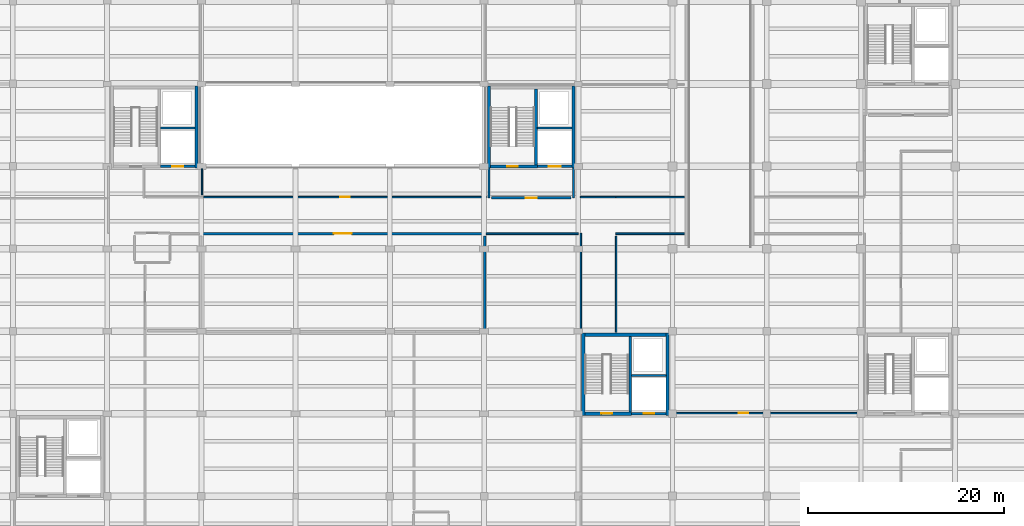
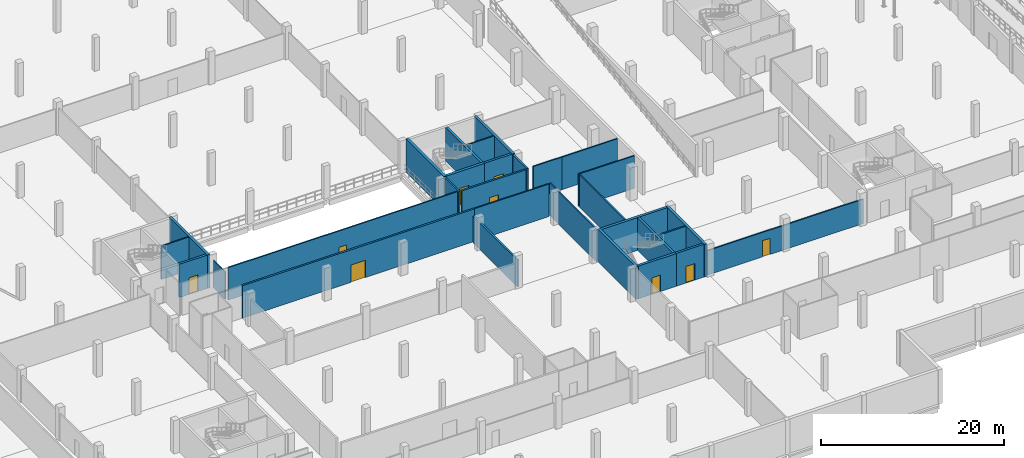
# One storey, part 20 of 30: 30 walls, 9 doors, 9 openings.
"""IFC4 building model written with IfcOpenShell, lengths in metres."""

from ifc_helpers import new_model, si_unit, direction, frame, frame_2d, origin, place, context, subcontext, project, spatial, rectangle, extrude, material, layer, layer_set, type_object, element, fill, save


model = new_model("IFC4")

# Units and contexts
model_context = context("Model", 3, precision=1e-05, world=origin(), true_north=direction((0.0, 1.0)))
body_context = subcontext(model_context, "Body", "Model", "MODEL_VIEW")
ifc_project = project(units=[si_unit("LENGTHUNIT", "METRE"), si_unit("AREAUNIT", "SQUARE_METRE"), si_unit("VOLUMEUNIT", "CUBIC_METRE"), si_unit("PLANEANGLEUNIT", "RADIAN"), si_unit("MASSUNIT", "GRAM", prefix="KILO")], contexts=[model_context])

# Site, building, storey
site_placement = place(None, origin())
site = spatial("IfcSite", under=ifc_project, at=site_placement, CompositionType="ELEMENT")
building_placement = place(site_placement, origin())
building = spatial("IfcBuilding", under=site, at=building_placement, Name="Lornevale Opera House", CompositionType="ELEMENT")
storey_placement = place(building_placement, frame((0.0, 0.0, -4.800048828125)))
storey = spatial("IfcBuildingStorey", under=building, at=storey_placement, Name="B1", CompositionType="ELEMENT", Elevation=-4.800048828125)

# Wall, opening, door
ifc_material_1 = material(Name="Concrete 40 MPa (CSA A23.1 C-1)", Category="concrete")
ifc_layer_1 = layer(ifc_material_1, 0.320068359375)
ifc_layer_set_1 = layer_set([ifc_layer_1], Name="Concrete 40 MPa (CSA A23.1 C-1)")
wall_type_1 = type_object("IfcWallType", Name="Core Shear Wall 320", PredefinedType="SHEAR", material=ifc_layer_set_1)
wall_1_placement = place(storey_placement, frame((106.260009765625, 33.60009765625, 0.0), z_axis=(0.0, 0.0, 1.0), x_axis=(1.0, 0.0, 0.0)))
wall_1 = element("IfcWall", 1, at=wall_1_placement, inside=storey, type_object=wall_type_1, Name="South-East Foyer Core Core Shear Wall 320 WL-COR-0043", PredefinedType="SHEAR", context=body_context, shape_type="SweptSolid", body=[
    extrude(rectangle(XDim=4.780029296875, YDim=0.320068359375, at=frame_2d((2.39013671875, 0.0))), origin(), (0.0, 0.0, 1.0), 4.360107421875),
])
opening_1_placement = place(wall_1_placement, frame((1.68994140625, 0.0, 0.0)))
opening_1 = element("IfcOpeningElement", 2, at=opening_1_placement, cuts=wall_1, Name="Opening DR-T11", PredefinedType="OPENING", context=body_context, shape_type="SweptSolid", body=[
    extrude(rectangle(XDim=1.10009765625, YDim=2.199951171875, at=frame_2d((0.550048828125, 1.10009765625))), frame((0.0, 0.169921875, 0.0), z_axis=(0.0, -1.0, 0.0), x_axis=(1.0, 0.0, 0.0)), (0.0, 0.0, 1.0), 0.340087890625),
])
ifc_material_2 = material(Name="Painted Hollow Metal Door Steel", Category="steel")
ifc_layer_2 = layer(ifc_material_2, 2.199951171875)
ifc_layer_set_2 = layer_set([ifc_layer_2], Name="Painted Hollow Metal Door Steel")
door_type_1 = type_object("IfcDoorType", Name="Protected Exit Stair Door R 1100x2200", OperationType="NOTDEFINED", PredefinedType="DOOR", material=ifc_layer_set_2)
door_1_placement = place(opening_1_placement, origin())
door_1 = element("IfcDoor", 3, at=door_1_placement, inside=storey, type_object=door_type_1, Name="C2 Stair Door B1", OperationType="SINGLE_SWING_RIGHT", OverallHeight=2.199951171875, OverallWidth=1.10009765625, PredefinedType="DOOR", context=body_context, shape_type="SweptSolid", body=[
    extrude(rectangle(XDim=1.10009765625, YDim=2.199951171875, at=frame_2d((0.550048828125, 1.10009765625))), frame((0.0, 0.02490234375, 0.0), z_axis=(0.0, -1.0, 0.0), x_axis=(1.0, 0.0, 0.0)), (0.0, 0.0, 1.0), 0.050048828125),
])
fill(opening_1, door_1)

# Walls
wall_2_placement = place(storey_placement, frame((114.5400390625, 41.639892578125, 0.0), z_axis=(0.0, 0.0, 1.0), x_axis=(-1.0, 0.0, 0.0)))
element("IfcWall", 4, at=wall_2_placement, inside=storey, type_object=wall_type_1, Name="South-East Foyer Core Core Shear Wall 320 WL-COR-0045", PredefinedType="SHEAR", context=body_context, shape_type="SweptSolid", body=[
    extrude(rectangle(XDim=8.280029296875, YDim=0.320068359375, at=frame_2d((4.14013671875, 0.0))), origin(), (0.0, 0.0, 1.0), 4.360107421875),
])
for number, where, z_axis, x_axis, name in (
    (5, (106.10009765625, 41.800048828125, 0.0), (0.0, 0.0, 1.0), (0.0, -1.0, 0.0), "South-East Foyer Core Core Shear Wall 320 WL-COR-0046"),
    (6, (114.699951171875, 33.43994140625, 0.0), (0.0, 0.0, 1.0), (0.0, 1.0, 0.0), "South-East Foyer Core Core Shear Wall 320 WL-COR-0047"),
):
    element("IfcWall", number, at=place(storey_placement, frame(where, z_axis=z_axis, x_axis=x_axis)), inside=storey, type_object=wall_type_1, Name=name, PredefinedType="SHEAR", context=body_context, shape_type="SweptSolid", body=[
        extrude(rectangle(XDim=8.360107421875, YDim=0.320068359375, at=frame_2d((4.18017578125, 0.0))), origin(), (0.0, 0.0, 1.0), 4.360107421875),
    ])
wall_3_placement = place(storey_placement, frame((66.699951171875, 58.639892578125, 0.0), z_axis=(0.0, 0.0, 1.0), x_axis=(0.0, 1.0, 0.0)))
element("IfcWall", 7, at=wall_3_placement, inside=storey, type_object=wall_type_1, Name="Auditorium West Tier Core Core Shear Wall 320 WL-COR-0159", PredefinedType="SHEAR", context=body_context, shape_type="SweptSolid", body=[
    extrude(rectangle(XDim=8.360107421875, YDim=0.320068359375, at=frame_2d((4.18017578125, 0.0))), origin(), (0.0, 0.0, 1.0), 4.43994140625),
])

# Wall, opening, door
wall_4_placement = place(storey_placement, frame((96.659912109375, 58.800048828125, 0.0), z_axis=(0.0, 0.0, 1.0), x_axis=(1.0, 0.0, 0.0)))
wall_4 = element("IfcWall", 8, at=wall_4_placement, inside=storey, type_object=wall_type_1, Name="Stagehouse Firefighter Core West Core Shear Wall 320 WL-COR-0204", PredefinedType="SHEAR", context=body_context, shape_type="SweptSolid", body=[
    extrude(rectangle(XDim=4.780029296875, YDim=0.320068359375, at=frame_2d((2.39013671875, 0.0))), origin(), (0.0, 0.0, 1.0), 4.43994140625),
])
opening_2_placement = place(wall_4_placement, frame((1.68994140625, 0.0, 0.0)))
opening_2 = element("IfcOpeningElement", 9, at=opening_2_placement, cuts=wall_4, Name="Opening DR-T11", PredefinedType="OPENING", context=body_context, shape_type="SweptSolid", body=[
    extrude(rectangle(XDim=1.10009765625, YDim=2.199951171875, at=frame_2d((0.550048828125, 1.10009765625))), frame((0.0, 0.169921875, 0.0), z_axis=(0.0, -1.0, 0.0), x_axis=(1.0, 0.0, 0.0)), (0.0, 0.0, 1.0), 0.340087890625),
])
door_2_placement = place(opening_2_placement, origin())
door_2 = element("IfcDoor", 10, at=door_2_placement, inside=storey, type_object=door_type_1, Name="C6 Stair Door B1", OperationType="SINGLE_SWING_RIGHT", OverallHeight=2.199951171875, OverallWidth=1.10009765625, PredefinedType="DOOR", context=body_context, shape_type="SweptSolid", body=[
    extrude(rectangle(XDim=1.10009765625, YDim=2.199951171875, at=frame_2d((0.550048828125, 1.10009765625))), frame((0.0, 0.02490234375, 0.0), z_axis=(0.0, -1.0, 0.0), x_axis=(1.0, 0.0, 0.0)), (0.0, 0.0, 1.0), 0.050048828125),
])
fill(opening_2, door_2)

# Walls
for number, where, z_axis, x_axis, name in (
    (11, (96.5, 67.0, 0.0), (0.0, 0.0, 1.0), (0.0, -1.0, 0.0), "Stagehouse Firefighter Core West Core Shear Wall 320 WL-COR-0207"),
    (12, (105.10009765625, 58.639892578125, 0.0), (0.0, 0.0, 1.0), (0.0, 1.0, 0.0), "Stagehouse Firefighter Core West Core Shear Wall 320 WL-COR-0208"),
):
    element("IfcWall", number, at=place(storey_placement, frame(where, z_axis=z_axis, x_axis=x_axis)), inside=storey, type_object=wall_type_1, Name=name, PredefinedType="SHEAR", context=body_context, shape_type="SweptSolid", body=[
        extrude(rectangle(XDim=8.360107421875, YDim=0.320068359375, at=frame_2d((4.18017578125, 0.0))), origin(), (0.0, 0.0, 1.0), 4.43994140625),
    ])
ifc_material_3 = material(Name="Acoustic Mineral-Core Gypsum Partition", Category="gypsum")
ifc_layer_3 = layer(ifc_material_3, 0.1650390625)
ifc_layer_set_3 = layer_set([ifc_layer_3], Name="Acoustic Mineral-Core Gypsum Partition")
wall_type_2 = type_object("IfcWallType", Name="Corridor Rated Partition 165", PredefinedType="PARTITIONING", material=ifc_layer_set_3)
wall_5_placement = place(storey_placement, frame((105.860107421875, 41.800048828125, 0.0), z_axis=(0.0, 0.0, 1.0), x_axis=(0.0, 1.0, 0.0)))
element("IfcWall", 13, at=wall_5_placement, inside=storey, type_object=wall_type_2, Name="B1 Partition WL-INT-0611", PredefinedType="PARTITIONING", context=body_context, shape_type="SweptSolid", body=[
    extrude(rectangle(XDim=10.199951171875, YDim=0.1650390625, at=frame_2d((5.10009765625, 0.0))), origin(), (0.0, 0.0, 1.0), 4.330078125),
])
wall_6_placement = place(storey_placement, frame((96.199951171875, 51.93994140625, 0.0), z_axis=(0.0, 0.0, 1.0), x_axis=(1.0, 0.0, 0.0)))
element("IfcWall", 14, at=wall_6_placement, inside=storey, type_object=wall_type_2, Name="B1 Partition WL-INT-0612", PredefinedType="PARTITIONING", context=body_context, shape_type="SweptSolid", body=[
    extrude(rectangle(XDim=9.41015625, YDim=0.1650390625, at=frame_2d((4.705078125, 0.0))), origin(), (0.0, 0.0, 1.0), 4.330078125),
])
wall_7_placement = place(storey_placement, frame((109.39990234375, 51.93994140625, 0.0), z_axis=(0.0, 0.0, 1.0), x_axis=(1.0, 0.0, 0.0)))
element("IfcWall", 15, at=wall_7_placement, inside=storey, type_object=wall_type_2, Name="B1 Partition WL-INT-0622", PredefinedType="PARTITIONING", context=body_context, shape_type="SweptSolid", body=[
    extrude(rectangle(XDim=7.0, YDim=0.1650390625, at=frame_2d((3.5, 0.0))), origin(), (0.0, 0.0, 1.0), 4.330078125),
])
wall_8_placement = place(storey_placement, frame((109.4599609375, 41.889892578125, 0.0), z_axis=(0.0, 0.0, 1.0), x_axis=(0.0, 1.0, 0.0)))
element("IfcWall", 16, at=wall_8_placement, inside=storey, type_object=wall_type_2, Name="B1 Partition WL-INT-0623", PredefinedType="PARTITIONING", context=body_context, shape_type="SweptSolid", body=[
    extrude(rectangle(XDim=9.800048828125, YDim=0.1650390625, at=frame_2d((4.89990234375, 0.0))), origin(), (0.0, 0.0, 1.0), 4.330078125),
])

# Wall, opening, door
wall_9_placement = place(storey_placement, frame((114.949951171875, 33.659912109375, 0.0), z_axis=(0.0, 0.0, 1.0), x_axis=(1.0, 0.0, 0.0)))
wall_9 = element("IfcWall", 17, at=wall_9_placement, inside=storey, type_object=wall_type_2, Name="B1 Partition WL-INT-0624", PredefinedType="PARTITIONING", context=body_context, shape_type="SweptSolid", body=[
    extrude(rectangle(XDim=19.699951171875, YDim=0.1650390625, at=frame_2d((9.85009765625, 0.0))), origin(), (0.0, 0.0, 1.0), 3.260009765625),
])
opening_3_placement = place(wall_9_placement, frame((7.010986328125, 0.0, 0.0)))
opening_3 = element("IfcOpeningElement", 18, at=opening_3_placement, cuts=wall_9, Name="Opening DR-T19", PredefinedType="OPENING", context=body_context, shape_type="SweptSolid", body=[
    extrude(rectangle(XDim=0.949951171875, YDim=2.14990234375, at=frame_2d((0.47509765625, 1.074951171875))), frame((0.0, 0.092529296875, 0.0), z_axis=(0.0, -1.0, 0.0), x_axis=(1.0, 0.0, 0.0)), (0.0, 0.0, 1.0), 0.18505859375),
])
ifc_material_4 = material(Name="White Oak Acoustic Panelling", Category="wood")
ifc_layer_4 = layer(ifc_material_4, 2.14990234375)
ifc_layer_set_4 = layer_set([ifc_layer_4], Name="White Oak Acoustic Panelling")
door_type_2 = type_object("IfcDoorType", Name="Soloist Dressing Door L 950x2150", OperationType="NOTDEFINED", PredefinedType="DOOR", material=ifc_layer_set_4)
door_3_placement = place(opening_3_placement, origin())
door_3 = element("IfcDoor", 19, at=door_3_placement, inside=storey, type_object=door_type_2, Name="Orchestra Instrument & Manuscript Store Door", OperationType="SINGLE_SWING_LEFT", OverallHeight=2.14990234375, OverallWidth=0.949951171875, PredefinedType="DOOR", context=body_context, shape_type="SweptSolid", body=[
    extrude(rectangle(XDim=0.949951171875, YDim=2.14990234375, at=frame_2d((0.47509765625, 1.074951171875))), frame((0.0, 0.02490234375, 0.0), z_axis=(0.0, -1.0, 0.0), x_axis=(1.0, 0.0, 0.0)), (0.0, 0.0, 1.0), 0.050048828125),
])
fill(opening_3, door_3)

wall_10_placement = place(storey_placement, frame((67.39990234375, 55.659912109375, 0.0), z_axis=(0.0, 0.0, 1.0), x_axis=(1.0, 0.0, 0.0)))
wall_10 = element("IfcWall", 20, at=wall_10_placement, inside=storey, type_object=wall_type_2, Name="B1 Partition WL-INT-0627", PredefinedType="PARTITIONING", context=body_context, shape_type="SweptSolid", body=[
    extrude(rectangle(XDim=28.85009765625, YDim=0.1650390625, at=frame_2d((14.425048828125, 0.0))), origin(), (0.0, 0.0, 1.0), 4.330078125),
])
opening_4_placement = place(wall_10_placement, frame((13.949951171875, 0.0, 0.0)))
opening_4 = element("IfcOpeningElement", 21, at=opening_4_placement, cuts=wall_10, Name="Opening DR-T20", PredefinedType="OPENING", context=body_context, shape_type="SweptSolid", body=[
    extrude(rectangle(XDim=0.949951171875, YDim=2.14990234375, at=frame_2d((0.47509765625, 1.074951171875))), frame((0.0, 0.092529296875, 0.0), z_axis=(0.0, -1.0, 0.0), x_axis=(1.0, 0.0, 0.0)), (0.0, 0.0, 1.0), 0.18505859375),
])
ifc_layer_5 = layer(ifc_material_4, 2.14990234375)
ifc_layer_set_5 = layer_set([ifc_layer_5], Name="White Oak Acoustic Panelling")
door_type_3 = type_object("IfcDoorType", Name="Soloist Dressing Door R 950x2150", OperationType="NOTDEFINED", PredefinedType="DOOR", material=ifc_layer_set_5)
door_4_placement = place(opening_4_placement, origin())
door_4 = element("IfcDoor", 22, at=door_4_placement, inside=storey, type_object=door_type_3, Name="Orchestra Instrument & Manuscript Store Door", OperationType="SINGLE_SWING_RIGHT", OverallHeight=2.14990234375, OverallWidth=0.949951171875, PredefinedType="DOOR", context=body_context, shape_type="SweptSolid", body=[
    extrude(rectangle(XDim=0.949951171875, YDim=2.14990234375, at=frame_2d((0.47509765625, 1.074951171875))), frame((0.0, 0.02490234375, 0.0), z_axis=(0.0, -1.0, 0.0), x_axis=(1.0, 0.0, 0.0)), (0.0, 0.0, 1.0), 0.050048828125),
])
fill(opening_4, door_4)

# Walls
wall_11_placement = place(storey_placement, frame((105.800048828125, 55.659912109375, 0.0), z_axis=(0.0, 0.0, 1.0), x_axis=(1.0, 0.0, 0.0)))
element("IfcWall", 23, at=wall_11_placement, inside=storey, type_object=wall_type_2, Name="B1 Partition WL-INT-0628", PredefinedType="PARTITIONING", context=body_context, shape_type="SweptSolid", body=[
    extrude(rectangle(XDim=3.599853515625, YDim=0.1650390625, at=frame_2d((1.7998046875, 0.0))), origin(), (0.0, 0.0, 1.0), 4.330078125),
])
wall_12_placement = place(storey_placement, frame((109.39990234375, 55.659912109375, 0.0), z_axis=(0.0, 0.0, 1.0), x_axis=(1.0, 0.0, 0.0)))
element("IfcWall", 24, at=wall_12_placement, inside=storey, type_object=wall_type_2, Name="B1 Partition WL-INT-0629", PredefinedType="PARTITIONING", context=body_context, shape_type="SweptSolid", body=[
    extrude(rectangle(XDim=7.0, YDim=0.1650390625, at=frame_2d((3.5, 0.0))), origin(), (0.0, 0.0, 1.0), 4.330078125),
])
ifc_layer_6 = layer(ifc_material_3, 0.125)
ifc_layer_set_6 = layer_set([ifc_layer_6], Name="Acoustic Mineral-Core Gypsum Partition")
wall_type_3 = type_object("IfcWallType", Name="Dressing Suite Partition 125", PredefinedType="PARTITIONING", material=ifc_layer_set_6)
wall_13_placement = place(storey_placement, frame((67.260009765625, 55.909912109375, 0.0), z_axis=(0.0, 0.0, 1.0), x_axis=(0.0, 1.0, 0.0)))
element("IfcWall", 25, at=wall_13_placement, inside=storey, type_object=wall_type_3, Name="B1 Partition WL-INT-0652", PredefinedType="PARTITIONING", context=body_context, shape_type="SweptSolid", body=[
    extrude(rectangle(XDim=2.670166015625, YDim=0.125, at=frame_2d((1.3349609375, 0.0))), origin(), (0.0, 0.0, 1.0), 3.610107421875),
])

# Wall, opening, door
ifc_layer_7 = layer(ifc_material_1, 0.280029296875)
ifc_layer_set_7 = layer_set([ifc_layer_7], Name="Concrete 40 MPa (CSA A23.1 C-1)")
wall_type_4 = type_object("IfcWallType", Name="Elevator Shaft Wall 280", PredefinedType="SHEAR", material=ifc_layer_set_7)
wall_14_placement = place(storey_placement, frame((111.0400390625, 33.60009765625, 0.0), z_axis=(0.0, 0.0, 1.0), x_axis=(1.0, 0.0, 0.0)))
wall_14 = element("IfcWall", 26, at=wall_14_placement, inside=storey, type_object=wall_type_4, Name="South-East Foyer Core Elevator Shaft Wall 280 WL-COR-0044", PredefinedType="SHEAR", context=body_context, shape_type="SweptSolid", body=[
    extrude(rectangle(XDim=3.5, YDim=0.280029296875, at=frame_2d((1.75, 0.0))), origin(), (0.0, 0.0, 1.0), 4.360107421875),
])
opening_5_placement = place(wall_14_placement, frame((1.2099609375, 0.0, 0.0)))
opening_5 = element("IfcOpeningElement", 27, at=opening_5_placement, cuts=wall_14, Name="Opening DR-T25", PredefinedType="OPENING", context=body_context, shape_type="SweptSolid", body=[
    extrude(rectangle(XDim=1.10009765625, YDim=2.199951171875, at=frame_2d((0.550048828125, 1.10009765625))), frame((0.0, 0.14990234375, 0.0), z_axis=(0.0, -1.0, 0.0), x_axis=(1.0, 0.0, 0.0)), (0.0, 0.0, 1.0), 0.300048828125),
])
ifc_layer_8 = layer(ifc_material_2, 2.199951171875)
ifc_layer_set_8 = layer_set([ifc_layer_8], Name="Painted Hollow Metal Door Steel")
door_type_4 = type_object("IfcDoorType", Name="Passenger Lift Landing Door 1100x2200", OperationType="NOTDEFINED", PredefinedType="DOOR", material=ifc_layer_set_8)
door_5_placement = place(opening_5_placement, origin())
door_5 = element("IfcDoor", 28, at=door_5_placement, inside=storey, type_object=door_type_4, Name="L-P2 Landing Door B1", OperationType="SLIDING_TO_LEFT", OverallHeight=2.199951171875, OverallWidth=1.10009765625, PredefinedType="DOOR", context=body_context, shape_type="SweptSolid", body=[
    extrude(rectangle(XDim=1.10009765625, YDim=2.199951171875, at=frame_2d((0.550048828125, 1.10009765625))), frame((0.0, 0.02490234375, 0.0), z_axis=(0.0, -1.0, 0.0), x_axis=(1.0, 0.0, 0.0)), (0.0, 0.0, 1.0), 0.050048828125),
])
fill(opening_5, door_5)

# Wall
wall_15_placement = place(storey_placement, frame((110.89990234375, 33.760009765625, 0.0), z_axis=(0.0, 0.0, 1.0), x_axis=(0.0, 1.0, 0.0)))
element("IfcWall", 29, at=wall_15_placement, inside=storey, type_object=wall_type_4, Name="South-East Foyer Core Elevator Shaft Wall 280 WL-COR-0048", PredefinedType="SHEAR", context=body_context, shape_type="SweptSolid", body=[
    extrude(rectangle(XDim=7.719970703125, YDim=0.280029296875, at=frame_2d((3.85986328125, 0.0))), origin(), (0.0, 0.0, 1.0), 4.360107421875),
])

# Wall, opening, door
wall_16_placement = place(storey_placement, frame((63.0400390625, 58.800048828125, 0.0), z_axis=(0.0, 0.0, 1.0), x_axis=(1.0, 0.0, 0.0)))
wall_16 = element("IfcWall", 30, at=wall_16_placement, inside=storey, type_object=wall_type_4, Name="Auditorium West Tier Core Elevator Shaft Wall 280 WL-COR-0156", PredefinedType="SHEAR", context=body_context, shape_type="SweptSolid", body=[
    extrude(rectangle(XDim=3.5, YDim=0.280029296875, at=frame_2d((1.75, 0.0))), origin(), (0.0, 0.0, 1.0), 4.43994140625),
])
opening_6_placement = place(wall_16_placement, frame((1.2099609375, 0.0, 0.0)))
opening_6 = element("IfcOpeningElement", 31, at=opening_6_placement, cuts=wall_16, Name="Opening DR-T25", PredefinedType="OPENING", context=body_context, shape_type="SweptSolid", body=[
    extrude(rectangle(XDim=1.10009765625, YDim=2.199951171875, at=frame_2d((0.550048828125, 1.10009765625))), frame((0.0, 0.14990234375, 0.0), z_axis=(0.0, -1.0, 0.0), x_axis=(1.0, 0.0, 0.0)), (0.0, 0.0, 1.0), 0.300048828125),
])
door_6_placement = place(opening_6_placement, origin())
door_6 = element("IfcDoor", 32, at=door_6_placement, inside=storey, type_object=door_type_4, Name="L-P4 Landing Door B1", OperationType="SLIDING_TO_LEFT", OverallHeight=2.199951171875, OverallWidth=1.10009765625, PredefinedType="DOOR", context=body_context, shape_type="SweptSolid", body=[
    extrude(rectangle(XDim=1.10009765625, YDim=2.199951171875, at=frame_2d((0.550048828125, 1.10009765625))), frame((0.0, 0.02490234375, 0.0), z_axis=(0.0, -1.0, 0.0), x_axis=(1.0, 0.0, 0.0)), (0.0, 0.0, 1.0), 0.050048828125),
])
fill(opening_6, door_6)

wall_17_placement = place(storey_placement, frame((101.43994140625, 58.800048828125, 0.0), z_axis=(0.0, 0.0, 1.0), x_axis=(1.0, 0.0, 0.0)))
wall_17 = element("IfcWall", 33, at=wall_17_placement, inside=storey, type_object=wall_type_4, Name="Stagehouse Firefighter Core West Elevator Shaft Wall 280 WL-COR-0205", PredefinedType="SHEAR", context=body_context, shape_type="SweptSolid", body=[
    extrude(rectangle(XDim=3.5, YDim=0.280029296875, at=frame_2d((1.75, 0.0))), origin(), (0.0, 0.0, 1.0), 4.43994140625),
])
opening_7_placement = place(wall_17_placement, frame((1.159912109375, 0.0, 0.0)))
opening_7 = element("IfcOpeningElement", 34, at=opening_7_placement, cuts=wall_17, Name="Opening DR-T26", PredefinedType="OPENING", context=body_context, shape_type="SweptSolid", body=[
    extrude(rectangle(XDim=1.199951171875, YDim=2.199951171875, at=frame_2d((0.60009765625, 1.10009765625))), frame((0.0, 0.14990234375, 0.0), z_axis=(0.0, -1.0, 0.0), x_axis=(1.0, 0.0, 0.0)), (0.0, 0.0, 1.0), 0.300048828125),
])
ifc_layer_9 = layer(ifc_material_2, 2.199951171875)
ifc_layer_set_9 = layer_set([ifc_layer_9], Name="Painted Hollow Metal Door Steel")
door_type_5 = type_object("IfcDoorType", Name="Firefighter Lift Landing Door 1200x2200", OperationType="NOTDEFINED", PredefinedType="DOOR", material=ifc_layer_set_9)
door_7_placement = place(opening_7_placement, origin())
door_7 = element("IfcDoor", 35, at=door_7_placement, inside=storey, type_object=door_type_5, Name="L-FF1 Landing Door B1", OperationType="SLIDING_TO_RIGHT", OverallHeight=2.199951171875, OverallWidth=1.199951171875, PredefinedType="DOOR", context=body_context, shape_type="SweptSolid", body=[
    extrude(rectangle(XDim=1.199951171875, YDim=2.199951171875, at=frame_2d((0.60009765625, 1.10009765625))), frame((0.0, 0.02490234375, 0.0), z_axis=(0.0, -1.0, 0.0), x_axis=(1.0, 0.0, 0.0)), (0.0, 0.0, 1.0), 0.050048828125),
])
fill(opening_7, door_7)

# Walls
wall_18_placement = place(storey_placement, frame((101.300048828125, 58.9599609375, 0.0), z_axis=(0.0, 0.0, 1.0), x_axis=(0.0, 1.0, 0.0)))
element("IfcWall", 36, at=wall_18_placement, inside=storey, type_object=wall_type_4, Name="Stagehouse Firefighter Core West Elevator Shaft Wall 280 WL-COR-0209", PredefinedType="SHEAR", context=body_context, shape_type="SweptSolid", body=[
    extrude(rectangle(XDim=7.719970703125, YDim=0.280029296875, at=frame_2d((3.85986328125, 0.0))), origin(), (0.0, 0.0, 1.0), 4.43994140625),
])
ifc_material_5 = material(Name="Concrete 35 MPa (CSA A23.1 N)", Category="concrete")
ifc_layer_10 = layer(ifc_material_5, 0.219970703125)
ifc_layer_set_10 = layer_set([ifc_layer_10], Name="Concrete 35 MPa (CSA A23.1 N)")
wall_type_5 = type_object("IfcWallType", Name="Firefighter Vestibule Wall 220", PredefinedType="SOLIDWALL", material=ifc_layer_set_10)
for number, where, z_axis, x_axis, name in (
    (37, (96.5, 55.60009765625, 0.0), (0.0, 0.0, 1.0), (0.0, 1.0, 0.0), "C6 Vestibule West Wall WL-INT-0382"),
    (38, (105.10009765625, 55.60009765625, 0.0), (0.0, 0.0, 1.0), (0.0, 1.0, 0.0), "C6 Vestibule East Wall WL-INT-0383"),
):
    element("IfcWall", number, at=place(storey_placement, frame(where, z_axis=z_axis, x_axis=x_axis)), inside=storey, type_object=wall_type_5, Name=name, PredefinedType="SOLIDWALL", context=body_context, shape_type="SweptSolid", body=[
        extrude(rectangle(XDim=3.039794921875, YDim=0.219970703125, at=frame_2d((1.52001953125, 0.0))), origin(), (0.0, 0.0, 1.0), 4.320068359375),
    ])

# Wall, opening, door
wall_19_placement = place(storey_placement, frame((96.75, 55.60009765625, 0.0), z_axis=(0.0, 0.0, 1.0), x_axis=(1.0, 0.0, 0.0)))
wall_19 = element("IfcWall", 39, at=wall_19_placement, inside=storey, type_object=wall_type_5, Name="C6 Vestibule South Wall WL-INT-0384", PredefinedType="SOLIDWALL", context=body_context, shape_type="SweptSolid", body=[
    extrude(rectangle(XDim=8.10009765625, YDim=0.219970703125, at=frame_2d((4.050048828125, 0.0))), origin(), (0.0, 0.0, 1.0), 4.320068359375),
])
opening_8_placement = place(wall_19_placement, frame((3.5, 0.0, 0.0)))
opening_8 = element("IfcOpeningElement", 40, at=opening_8_placement, cuts=wall_19, Name="Opening DR-T13", PredefinedType="OPENING", context=body_context, shape_type="SweptSolid", body=[
    extrude(rectangle(XDim=1.10009765625, YDim=2.199951171875, at=frame_2d((0.550048828125, 1.10009765625))), frame((0.0, 0.119873046875, 0.0), z_axis=(0.0, -1.0, 0.0), x_axis=(1.0, 0.0, 0.0)), (0.0, 0.0, 1.0), 0.239990234375),
])
ifc_layer_11 = layer(ifc_material_2, 2.199951171875)
ifc_layer_set_11 = layer_set([ifc_layer_11], Name="Painted Hollow Metal Door Steel")
door_type_6 = type_object("IfcDoorType", Name="Firefighter Vestibule Door 1100x2200", OperationType="NOTDEFINED", PredefinedType="DOOR", material=ifc_layer_set_11)
door_8_placement = place(opening_8_placement, origin())
door_8 = element("IfcDoor", 41, at=door_8_placement, inside=storey, type_object=door_type_6, Name="C6 Firefighter Vestibule Door B1", OperationType="SINGLE_SWING_LEFT", OverallHeight=2.199951171875, OverallWidth=1.10009765625, PredefinedType="DOOR", context=body_context, shape_type="SweptSolid", body=[
    extrude(rectangle(XDim=1.10009765625, YDim=2.199951171875, at=frame_2d((0.550048828125, 1.10009765625))), frame((0.0, 0.02490234375, 0.0), z_axis=(0.0, -1.0, 0.0), x_axis=(1.0, 0.0, 0.0)), (0.0, 0.0, 1.0), 0.050048828125),
])
fill(opening_8, door_8)

ifc_layer_12 = layer(ifc_material_3, 0.22998046875)
ifc_layer_set_12 = layer_set([ifc_layer_12], Name="Acoustic Mineral-Core Gypsum Partition")
wall_type_6 = type_object("IfcWallType", Name="Rehearsal Studio Acoustic Wall 230", PredefinedType="SOLIDWALL", material=ifc_layer_set_12)
wall_20_placement = place(storey_placement, frame((67.0, 51.93994140625, 0.0), z_axis=(0.0, 0.0, 1.0), x_axis=(1.0, 0.0, 0.0)))
wall_20 = element("IfcWall", 42, at=wall_20_placement, inside=storey, type_object=wall_type_6, Name="B1 Partition WL-INT-0573", PredefinedType="SOLIDWALL", context=body_context, shape_type="SweptSolid", body=[
    extrude(rectangle(XDim=29.199951171875, YDim=0.22998046875, at=frame_2d((14.60009765625, 0.0))), origin(), (0.0, 0.0, 1.0), 4.330078125),
])
opening_9_placement = place(wall_20_placement, frame((13.699951171875, 0.0, 0.0)))
opening_9 = element("IfcOpeningElement", 43, at=opening_9_placement, cuts=wall_20, Name="Opening DR-T15", PredefinedType="OPENING", context=body_context, shape_type="SweptSolid", body=[
    extrude(rectangle(XDim=1.800048828125, YDim=2.300048828125, at=frame_2d((0.89990234375, 1.14990234375))), frame((0.0, 0.125, 0.0), z_axis=(0.0, -1.0, 0.0), x_axis=(1.0, 0.0, 0.0)), (0.0, 0.0, 1.0), 0.25),
])
ifc_layer_13 = layer(ifc_material_4, 2.300048828125)
ifc_layer_set_13 = layer_set([ifc_layer_13], Name="White Oak Acoustic Panelling")
door_type_7 = type_object("IfcDoorType", Name="Chamber Hall Acoustic Pair 1800x2300", OperationType="NOTDEFINED", PredefinedType="DOOR", material=ifc_layer_set_13)
door_9_placement = place(opening_9_placement, origin())
door_9 = element("IfcDoor", 44, at=door_9_placement, inside=storey, type_object=door_type_7, Name="Orchestra Pit & Lift Chamber Door", OperationType="DOUBLE_SWING_LEFT", OverallHeight=2.300048828125, OverallWidth=1.800048828125, PredefinedType="DOOR", context=body_context, shape_type="SweptSolid", body=[
    extrude(rectangle(XDim=1.800048828125, YDim=2.300048828125, at=frame_2d((0.89990234375, 1.14990234375))), frame((0.0, 0.02490234375, 0.0), z_axis=(0.0, -1.0, 0.0), x_axis=(1.0, 0.0, 0.0)), (0.0, 0.0, 1.0), 0.050048828125),
])
fill(opening_9, door_9)

# Walls
wall_21_placement = place(storey_placement, frame((96.06005859375, 42.0, 0.0), z_axis=(0.0, 0.0, 1.0), x_axis=(0.0, 1.0, 0.0)))
element("IfcWall", 45, at=wall_21_placement, inside=storey, type_object=wall_type_6, Name="B1 Partition WL-INT-0641", PredefinedType="SOLIDWALL", context=body_context, shape_type="SweptSolid", body=[
    extrude(rectangle(XDim=9.68994140625, YDim=0.22998046875, at=frame_2d((4.844970703125, 0.0))), origin(), (0.0, 0.0, 1.0), 3.56005859375),
])
ifc_material_6 = material(Name="Moisture-Resistant Ceramic & Gypsum Partition", Category="gypsum")
ifc_layer_14 = layer(ifc_material_6, 0.179931640625)
ifc_layer_set_14 = layer_set([ifc_layer_14], Name="Moisture-Resistant Ceramic & Gypsum Partition")
wall_type_7 = type_object("IfcWallType", Name="Riser Shaft Wall 180", PredefinedType="SOLIDWALL", material=ifc_layer_set_14)
wall_22_placement = place(storey_placement, frame((111.0400390625, 37.5, 0.0), z_axis=(0.0, 0.0, 1.0), x_axis=(1.0, 0.0, 0.0)))
element("IfcWall", 46, at=wall_22_placement, inside=storey, type_object=wall_type_7, Name="South-East Foyer Core Riser Shaft Wall 180 WL-COR-0049", PredefinedType="SOLIDWALL", context=body_context, shape_type="SweptSolid", body=[
    extrude(rectangle(XDim=3.5, YDim=0.179931640625, at=frame_2d((1.75, 0.0))), origin(), (0.0, 0.0, 1.0), 4.360107421875),
])
for number, where, z_axis, x_axis, name in (
    (47, (63.0400390625, 62.699951171875, 0.0), (0.0, 0.0, 1.0), (1.0, 0.0, 0.0), "Auditorium West Tier Core Riser Shaft Wall 180 WL-COR-0161"),
    (48, (101.43994140625, 62.699951171875, 0.0), (0.0, 0.0, 1.0), (1.0, 0.0, 0.0), "Stagehouse Firefighter Core West Riser Shaft Wall 180 WL-COR-0210"),
):
    element("IfcWall", number, at=place(storey_placement, frame(where, z_axis=z_axis, x_axis=x_axis)), inside=storey, type_object=wall_type_7, Name=name, PredefinedType="SOLIDWALL", context=body_context, shape_type="SweptSolid", body=[
        extrude(rectangle(XDim=3.5, YDim=0.179931640625, at=frame_2d((1.75, 0.0))), origin(), (0.0, 0.0, 1.0), 4.43994140625),
    ])

save(model, "model.ifc")
